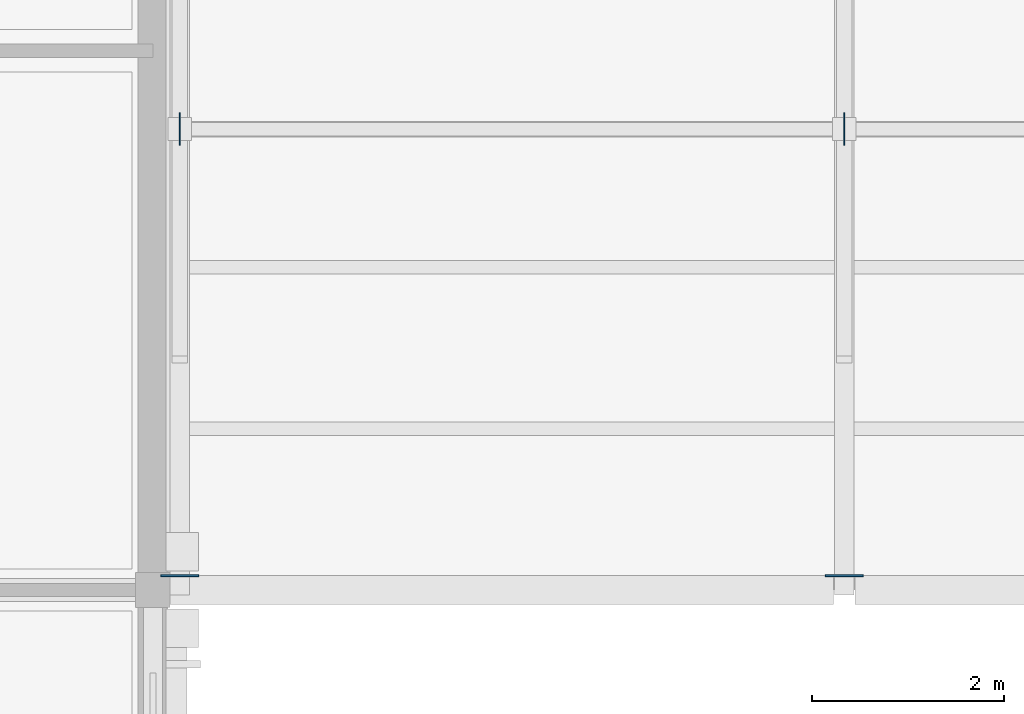
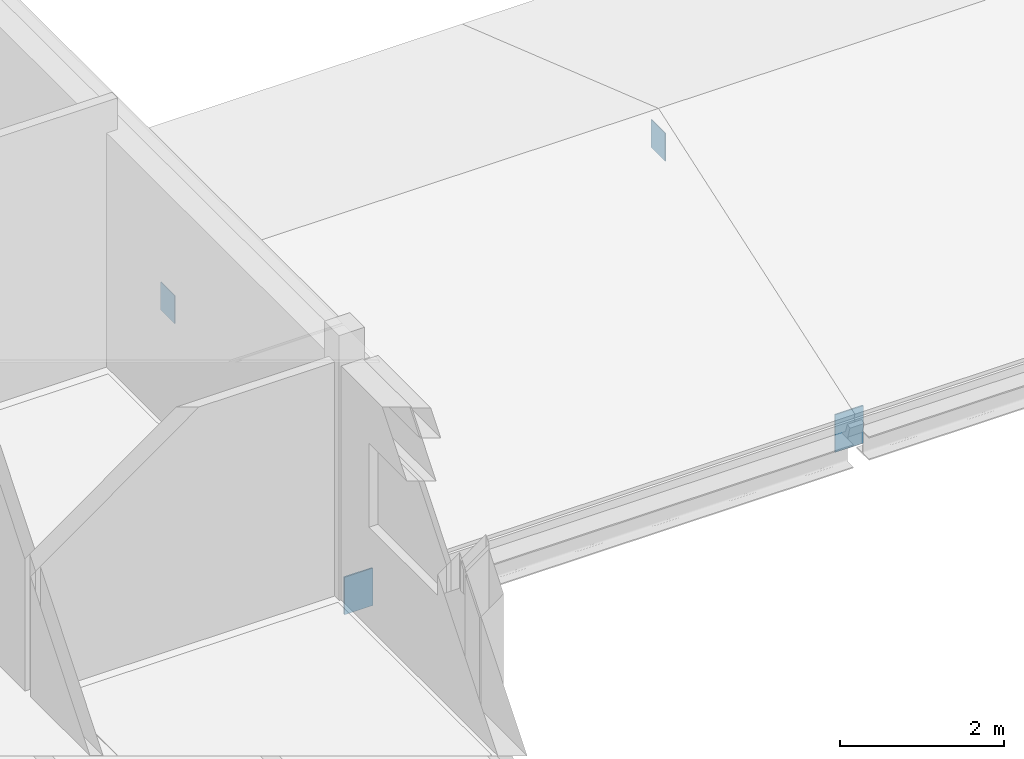
# One storey, part 73 of 115: 4 plates.
"""IFC4 building model written with IfcOpenShell, lengths in metres."""

import ifcopenshell
import ifcopenshell.guid

model = None  # the IFC model being written
_history = None  # IfcOwnerHistory: only IFC2X3 demands one
_inside = {}  # id of a spatial element -> (the spatial element, [elements in it])
_under = {}  # id of a project, library or spatial element -> (it, [spatial elements below it])
_declared = {}  # id of a project -> (the project, [libraries it declares])
_typed = {}  # id of a type object -> (the type object, [elements of that type])
_made_of = {}  # id of a material, layer set ... -> (it, [elements and type objects made of it])


def new_model(schema):
    """Start an empty IFC model of exactly this schema.

    Asked for "IFC4X3", IfcOpenShell would pick the latest addendum, in which some entities
    have other attributes; the version numbers below select the first issue.
    IFC2X3 requires an IfcOwnerHistory on every rooted entity: one is made here for all.
    """
    global model, _history
    if schema == "IFC4X3":
        model = ifcopenshell.file(schema_version=(4, 3, 0, 0))
    else:
        model = ifcopenshell.file(schema=schema)
    _inside.clear()
    _under.clear()
    _declared.clear()
    _typed.clear()
    _made_of.clear()
    _history = None
    if model.schema == "IFC2X3":
        org = make("IfcOrganization", Name="unknown")
        user = make(
            "IfcPersonAndOrganization",
            ThePerson=make("IfcPerson", FamilyName="unknown"),
            TheOrganization=org,
        )
        app = make(
            "IfcApplication",
            ApplicationDeveloper=org,
            Version="unknown",
            ApplicationFullName="unknown",
            ApplicationIdentifier="unknown",
        )
        _history = make(
            "IfcOwnerHistory",
            OwningUser=user,
            OwningApplication=app,
            ChangeAction="ADDED",
            CreationDate=0,
        )
    return model


def make(cls, **values):
    """One entity of the class cls with the attributes given. An attribute that is None is left unset."""
    return model.create_entity(
        cls, **{name: value for name, value in values.items() if value is not None}
    )


def rooted(cls, **values):
    """An entity with a GlobalId (a new one), such as an element, a storey or a relation."""
    return make(cls, GlobalId=ifcopenshell.guid.new(), OwnerHistory=_history, **values)


def si_unit(unit_type, name, prefix=None):
    """IfcSIUnit, for example si_unit("LENGTHUNIT", "METRE", prefix="MILLI")."""
    return make("IfcSIUnit", UnitType=unit_type, Prefix=prefix, Name=name)


def assignment(units):
    """IfcUnitAssignment: the units of a project."""
    return None if units is None else make("IfcUnitAssignment", Units=units)


def point(xyz):
    """IfcCartesianPoint."""
    return None if xyz is None else make("IfcCartesianPoint", Coordinates=xyz)


def direction(xyz):
    """IfcDirection."""
    return None if xyz is None else make("IfcDirection", DirectionRatios=xyz)


def frame(location, z_axis=None, x_axis=None):
    """IfcAxis2Placement3D, a coordinate frame: its origin and axes. An axis left out is left unset."""
    return make(
        "IfcAxis2Placement3D",
        Location=point(location),
        Axis=direction(z_axis),
        RefDirection=direction(x_axis),
    )


def frame_2d(location, x_axis=None):
    """IfcAxis2Placement2D, a coordinate frame in the plane: its origin and x axis."""
    return make(
        "IfcAxis2Placement2D", Location=point(location), RefDirection=direction(x_axis)
    )


def origin():
    """The frame at (0, 0, 0) with its axes left unset."""
    return frame((0.0, 0.0, 0.0))


def origin_2d():
    """The frame at (0, 0) in the plane with its x axis left unset."""
    return frame_2d((0.0, 0.0))


def place(relative_to, where):
    """IfcLocalPlacement: puts the frame where relative to a parent placement (None: the world)."""
    return make(
        "IfcLocalPlacement", PlacementRelTo=relative_to, RelativePlacement=where
    )


def context(
    kind, dimensions, precision=None, world=None, true_north=None, identifier=None
):
    """IfcGeometricRepresentationContext, for example the 3D "Model" context."""
    return make(
        "IfcGeometricRepresentationContext",
        ContextIdentifier=identifier,
        ContextType=kind,
        CoordinateSpaceDimension=dimensions,
        Precision=precision,
        WorldCoordinateSystem=world,
        TrueNorth=true_north,
    )


def subcontext(parent, identifier, kind, view, scale=None):
    """IfcGeometricRepresentationSubContext, for example "Body" below "Model"."""
    return make(
        "IfcGeometricRepresentationSubContext",
        ContextIdentifier=identifier,
        ContextType=kind,
        ParentContext=parent,
        TargetScale=scale,
        TargetView=view,
    )


def project(units=None, contexts=None):
    """IfcProject with its units and contexts."""
    return rooted(
        "IfcProject",
        Name="project",
        RepresentationContexts=contexts,
        UnitsInContext=assignment(units),
    )


def spatial(cls, under=None, at=None, **own):
    """A site, building, storey or space (cls), placed at a placement, below another one or the project."""
    s = rooted(cls, ObjectPlacement=at, **own)
    if under is not None:
        _under.setdefault(under.id(), (under, []))[1].append(s)
    return s


def profile(cls, at=None, kind="AREA", **sizes):
    """A parametric profile (cls). Its sizes go by their IFC names, for example OverallWidth=200.0."""
    return make(cls, ProfileType=kind, Position=at, **sizes)


def rectangle(**sizes):
    """IfcRectangleProfileDef."""
    return profile("IfcRectangleProfileDef", **sizes)


def extrude(swept, where, along, depth):
    """IfcExtrudedAreaSolid: the profile swept, set in the frame where, extruded along a direction by depth."""
    return make(
        "IfcExtrudedAreaSolid",
        SweptArea=swept,
        Position=where,
        ExtrudedDirection=direction(along),
        Depth=depth,
    )


def shape(context_of_items, identifier, shape_type, items):
    """IfcShapeRepresentation: the items that make up one representation, for example the "Body"."""
    return make(
        "IfcShapeRepresentation",
        ContextOfItems=context_of_items,
        RepresentationIdentifier=identifier,
        RepresentationType=shape_type,
        Items=items,
    )


def material(Name=None, Category=None):
    """IfcMaterial."""
    return make("IfcMaterial", Name=Name, Category=Category)


def layer(
    of_material, thickness, ventilated=None, Name=None, Category=None, Priority=None
):
    """IfcMaterialLayer: one layer of a wall or slab, of a material (None: an air gap)."""
    return make(
        "IfcMaterialLayer",
        Material=of_material,
        LayerThickness=thickness,
        IsVentilated=ventilated,
        Name=Name,
        Category=Category,
        Priority=Priority,
    )


def layer_set(layers, Name=None):
    """IfcMaterialLayerSet."""
    return make("IfcMaterialLayerSet", MaterialLayers=layers, LayerSetName=Name)


def made_of(thing, what):
    """Note that an element or type object is made of a material, layer set ...; save() writes the relation."""
    if what is not None:
        _made_of.setdefault(what.id(), (what, []))[1].append(thing)
    return thing


def type_object(cls, material=None, **own):
    """A type object (cls), such as IfcWallType, which elements share."""
    return made_of(rooted(cls, **own), material)


def element(
    cls,
    number,
    at=None,
    inside=None,
    cuts=None,
    type_object=None,
    material=None,
    context=None,
    identifier="Body",
    shape_type=None,
    held_by="IfcProductDefinitionShape",
    body=None,
    shapes=None,
    **own,
):
    """One element of the class cls, such as IfcWall. Its Tag is "e" and its number.

    at: its placement. inside: the storey or other place that contains it. cuts: it is an
    opening in that element (IfcRelVoidsElement). A single representation is given by context,
    identifier, shape_type and body (its items); several are given by shapes. held_by: the class
    of the entity that holds the representations. save() writes the other relations.
    """
    e = rooted(cls, Tag="e%d" % number, ObjectPlacement=at, **own)
    if body is not None:
        shapes = [shape(context, identifier, shape_type, body)]
    if shapes is not None:
        e.Representation = make(held_by, Representations=shapes)
    if inside is not None:
        _inside.setdefault(inside.id(), (inside, []))[1].append(e)
    if cuts is not None:
        rooted(
            "IfcRelVoidsElement", RelatingBuildingElement=cuts, RelatedOpeningElement=e
        )
    if type_object is not None:
        _typed.setdefault(type_object.id(), (type_object, []))[1].append(e)
    return made_of(e, material)


def aggregate(whole, parts):
    """IfcRelAggregates: a whole, such as a stair, and the parts it consists of."""
    return rooted("IfcRelAggregates", RelatingObject=whole, RelatedObjects=parts)


def save(model, path):
    """Write the relations noted so far, then the file.

    IfcRelAggregates (storeys below a building ...), IfcRelContainedInSpatialStructure (elements
    in a storey), IfcRelDefinesByType, IfcRelAssociatesMaterial and IfcRelDeclares: one each for
    every whole, place, type object, material and project.
    """
    for whole, parts in _under.values():
        aggregate(whole, parts)
    for where, things in _inside.values():
        rooted(
            "IfcRelContainedInSpatialStructure",
            RelatedElements=things,
            RelatingStructure=where,
        )
    for kind, things in _typed.values():
        rooted("IfcRelDefinesByType", RelatedObjects=things, RelatingType=kind)
    for what, things in _made_of.values():
        rooted("IfcRelAssociatesMaterial", RelatedObjects=things, RelatingMaterial=what)
    for by, libraries in _declared.values():
        rooted("IfcRelDeclares", RelatingContext=by, RelatedDefinitions=libraries)
    model.write(path)


model = new_model("IFC4")

# Units and contexts
model_context = context("Model", 3, precision=1e-05, world=origin(), true_north=direction((0.0, 1.0)))
body_context = subcontext(model_context, "Body", "Model", "MODEL_VIEW")
ifc_project = project(units=[si_unit("LENGTHUNIT", "METRE"), si_unit("AREAUNIT", "SQUARE_METRE"), si_unit("VOLUMEUNIT", "CUBIC_METRE"), si_unit("PLANEANGLEUNIT", "RADIAN"), si_unit("MASSUNIT", "GRAM", prefix="KILO")], contexts=[model_context])

# Site, building, storey
site_placement = place(None, origin())
site = spatial("IfcSite", under=ifc_project, at=site_placement, CompositionType="ELEMENT")
building_placement = place(site_placement, origin())
building = spatial("IfcBuilding", under=site, at=building_placement, Name="Hawrajan Terrace Health Centre", CompositionType="ELEMENT")
storey_placement = place(building_placement, frame((0.0, 0.0, 9.0)))
storey = spatial("IfcBuildingStorey", under=building, at=storey_placement, Name="L02", CompositionType="ELEMENT", Elevation=9.0)

# Plates
ifc_material = material(Name="Steel S355", Category="steel")
ifc_layer_1 = layer(ifc_material, 0.02001953125)
ifc_layer_set_1 = layer_set([ifc_layer_1], Name="Steel S355")
plate_type_1 = type_object("IfcPlateType", Name="HoldDownShoe_S355_20", PredefinedType="SHEET", material=ifc_layer_set_1)
for number, where, z_axis, x_axis, name in (
    (1, (26.47998046875, 27.35009765625, -0.5), (0.0, 0.0, 1.0), (1.0, 0.0, 0.0), "Pinned uplift hold-down shoe W-G04-TRS-SHOE-S"),
    (2, (33.39990234375, 27.35009765625, -0.5), (0.0, 0.0, 1.0), (1.0, 0.0, 0.0), "Pinned uplift hold-down shoe W-G05-TRS-SHOE-S"),
):
    element("IfcPlate", number, at=place(storey_placement, frame(where, z_axis=z_axis, x_axis=x_axis)), inside=storey, type_object=plate_type_1, Name=name, PredefinedType="SHEET", context=body_context, shape_type="SweptSolid", body=[
        extrude(rectangle(XDim=0.39990234375, YDim=0.02001953125, at=origin_2d()), origin(), (0.0, 0.0, 1.0), 0.56005859375),
    ])
ifc_layer_2 = layer(ifc_material, 0.011962890625)
ifc_layer_set_2 = layer_set([ifc_layer_2], Name="Steel S355")
plate_type_2 = type_object("IfcPlateType", Name="KnifePlate_S355_12", PredefinedType="SHEET", material=ifc_layer_set_2)
for number, where, z_axis, x_axis, name in (
    (3, (26.47998046875, 32.0, 1.050048828125), (0.0, 0.0, 1.0), (1.0, 0.0, 0.0), "Slotted steel apex knife plate W-G04-TRS"),
    (4, (33.39990234375, 32.0, 1.050048828125), (0.0, 0.0, 1.0), (1.0, 0.0, 0.0), "Slotted steel apex knife plate W-G05-TRS"),
):
    element("IfcPlate", number, at=place(storey_placement, frame(where, z_axis=z_axis, x_axis=x_axis)), inside=storey, type_object=plate_type_2, Name=name, PredefinedType="SHEET", context=body_context, shape_type="SweptSolid", body=[
        extrude(rectangle(XDim=0.011962890625, YDim=0.340087890625, at=origin_2d()), origin(), (0.0, 0.0, 1.0), 0.419921875),
    ])

save(model, "model.ifc")
